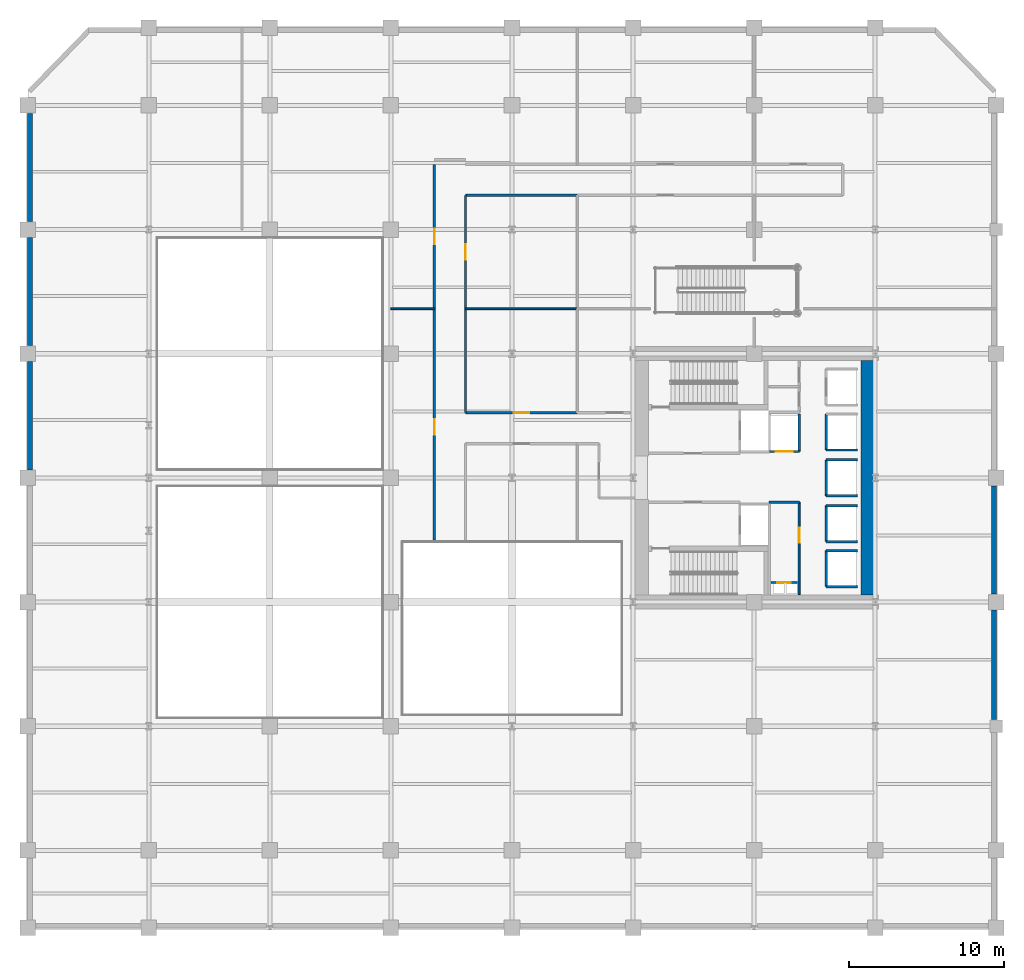
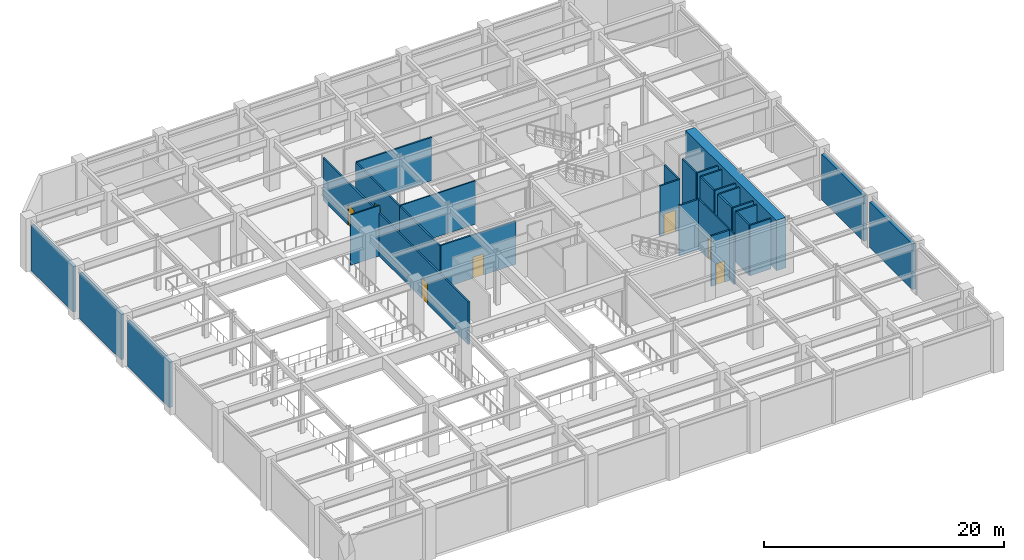
# One storey, part 9 of 15: 30 walls, 7 doors, 7 openings.
"""IFC4 building model written with IfcOpenShell, lengths in metres."""

from ifc_helpers import new_model, si_unit, direction, frame, frame_2d, origin, place, context, subcontext, project, spatial, rectangle, extrude, material, layer, layer_set, type_object, element, fill, save


model = new_model("IFC4")

# Units and contexts
model_context = context("Model", 3, precision=1e-05, world=origin(), true_north=direction((0.0, 1.0)))
body_context = subcontext(model_context, "Body", "Model", "MODEL_VIEW")
ifc_project = project(units=[si_unit("LENGTHUNIT", "METRE"), si_unit("AREAUNIT", "SQUARE_METRE"), si_unit("VOLUMEUNIT", "CUBIC_METRE"), si_unit("PLANEANGLEUNIT", "RADIAN"), si_unit("MASSUNIT", "GRAM", prefix="KILO")], contexts=[model_context])

# Site, building, storey
site_placement = place(None, origin())
site = spatial("IfcSite", under=ifc_project, at=site_placement, CompositionType="ELEMENT")
building_placement = place(site_placement, origin())
building = spatial("IfcBuilding", under=site, at=building_placement, Name="Veymaron Broadcast Tower", CompositionType="ELEMENT")
storey_placement = place(building_placement, frame((0.0, 0.0, 5.39990234375)))
storey = spatial("IfcBuildingStorey", under=building, at=storey_placement, Name="L01", CompositionType="ELEMENT", Elevation=5.39990234375)

# Walls
ifc_material_1 = material(Name="Precast concrete C40/50 with mineral-wool insulation", Category="concrete")
ifc_layer_1 = layer(ifc_material_1, 0.300048828125)
ifc_layer_set_1 = layer_set([ifc_layer_1], Name="Precast concrete C40/50 with mineral-wool insulation")
wall_type_1 = type_object("IfcWallType", Name="WALL-EXT-300", PredefinedType="STANDARD", material=ifc_layer_set_1)
wall_1_placement = place(storey_placement, frame((62.260009765625, 8.41796875, 0.0), z_axis=(0.0, 0.0, 1.0), x_axis=(0.0, 1.0, 0.0)))
element("IfcWall", 1, at=wall_1_placement, inside=storey, type_object=wall_type_1, Name="L01 notched corner facade pier 2-3", PredefinedType="STANDARD", context=body_context, shape_type="SweptSolid", body=[
    extrude(rectangle(XDim=7.06396484375, YDim=0.300048828125, at=frame_2d((3.531982421875, 0.0))), origin(), (0.0, 0.0, 1.0), 4.648193359375),
])
for number, where, z_axis, x_axis, name in (
    (2, (62.260009765625, 16.51806640625, 0.0), (0.0, 0.0, 1.0), (0.0, 1.0, 0.0), "L01 notched corner facade pier 2-4"),
    (3, (0.139892578125, 47.48193359375, 0.0), (0.0, 0.0, 1.0), (0.0, -1.0, 0.0), "L01 notched corner facade pier 6-1"),
    (4, (0.139892578125, 39.48193359375, 0.0), (0.0, 0.0, 1.0), (0.0, -1.0, 0.0), "L01 notched corner facade pier 6-2"),
    (5, (0.139892578125, 31.48193359375, 0.0), (0.0, 0.0, 1.0), (0.0, -1.0, 0.0), "L01 notched corner facade pier 6-3"),
):
    element("IfcWall", number, at=place(storey_placement, frame(where, z_axis=z_axis, x_axis=x_axis)), inside=storey, type_object=wall_type_1, Name=name, PredefinedType="STANDARD", context=body_context, shape_type="SweptSolid", body=[
        extrude(rectangle(XDim=6.9638671875, YDim=0.300048828125, at=frame_2d((3.48193359375, 0.0))), origin(), (0.0, 0.0, 1.0), 4.648193359375),
    ])

# Wall, opening, door
ifc_material_2 = material(Name="Gypsum fireboard and steel stud framing", Category="steel")
ifc_layer_2 = layer(ifc_material_2, 0.14990234375)
ifc_layer_set_2 = layer_set([ifc_layer_2], Name="Gypsum fireboard and steel stud framing")
wall_type_2 = type_object("IfcWallType", Name="WALL-FIRE-150", PredefinedType="PARTITIONING", material=ifc_layer_set_2)
wall_2_placement = place(storey_placement, frame((47.7900390625, 25.695068359375, 0.0), z_axis=(0.0, 0.0, 1.0), x_axis=(1.0, 0.0, 0.0)))
wall_2 = element("IfcWall", 6, at=wall_2_placement, inside=storey, type_object=wall_type_2, Name="L01 partition IW-L01-SHS-SL-1", PredefinedType="PARTITIONING", context=body_context, shape_type="SweptSolid", body=[
    extrude(rectangle(XDim=1.919921875, YDim=0.14990234375, at=frame_2d((0.9599609375, 0.0))), origin(), (0.0, 0.0, 1.0), 5.1201171875),
])
opening_1_placement = place(wall_2_placement, frame((0.409912109375, 0.0, 0.0)))
opening_1 = element("IfcOpeningElement", 7, at=opening_1_placement, cuts=wall_2, Name="Opening LD", PredefinedType="OPENING", context=body_context, shape_type="SweptSolid", body=[
    extrude(rectangle(XDim=1.10009765625, YDim=2.14990234375, at=frame_2d((0.550048828125, 1.074951171875))), frame((0.0, 0.0849609375, 0.0), z_axis=(0.0, -1.0, 0.0), x_axis=(1.0, 0.0, 0.0)), (0.0, 0.0, 1.0), 0.169921875),
])
ifc_material_3 = material(Name="Brushed stainless steel AISI 304", Category="steel")
door_type_1 = type_object("IfcDoorType", Name="DOOR-LIFT-1100", OperationType="DOUBLE_DOOR_SLIDING", PredefinedType="DOOR", material=ifc_material_3)
door_1_placement = place(opening_1_placement, frame((1.10009765625, 0.0, 0.0), z_axis=(0.0, 0.0, 1.0), x_axis=(-1.0, 0.0, 0.0)))
door_1 = element("IfcDoor", 8, at=door_1_placement, inside=storey, type_object=door_type_1, Name="L01 door LD-L01-SL-1", OperationType="DOUBLE_DOOR_SLIDING", OverallHeight=2.14990234375, OverallWidth=1.10009765625, PredefinedType="DOOR", context=body_context, shape_type="SweptSolid", body=[
    extrude(rectangle(XDim=1.10009765625, YDim=2.14990234375, at=frame_2d((0.550048828125, 1.074951171875))), frame((0.0, 0.02490234375, 0.0), z_axis=(0.0, -1.0, 0.0), x_axis=(1.0, 0.0, 0.0)), (0.0, 0.0, 1.0), 0.050048828125),
])
fill(opening_1, door_1)

# Walls
wall_3_placement = place(storey_placement, frame((49.7099609375, 25.695068359375, 0.0), z_axis=(0.0, 0.0, 1.0), x_axis=(0.0, 1.0, 0.0)))
element("IfcWall", 9, at=wall_3_placement, inside=storey, type_object=wall_type_2, Name="L01 partition IW-L01-SHE-SL-1", PredefinedType="PARTITIONING", context=body_context, shape_type="SweptSolid", body=[
    extrude(rectangle(XDim=2.4150390625, YDim=0.14990234375, at=frame_2d((1.20751953125, 0.0))), origin(), (0.0, 0.0, 1.0), 5.1201171875),
])
wall_4_placement = place(storey_placement, frame((51.445068359375, 25.7900390625, 0.0), z_axis=(0.0, 0.0, 1.0), x_axis=(0.0, 1.0, 0.0)))
element("IfcWall", 10, at=wall_4_placement, inside=storey, type_object=wall_type_2, Name="L01 partition IW-L01-SHW-PM1", PredefinedType="PARTITIONING", context=body_context, shape_type="SweptSolid", body=[
    extrude(rectangle(XDim=2.320068359375, YDim=0.14990234375, at=frame_2d((1.16015625, 0.0))), origin(), (0.0, 0.0, 1.0), 5.1201171875),
])
wall_5_placement = place(storey_placement, frame((51.445068359375, 25.7900390625, 0.0), z_axis=(0.0, 0.0, 1.0), x_axis=(1.0, 0.0, 0.0)))
element("IfcWall", 11, at=wall_5_placement, inside=storey, type_object=wall_type_2, Name="L01 partition IW-L01-SHS-PM1", PredefinedType="PARTITIONING", context=body_context, shape_type="SweptSolid", body=[
    extrude(rectangle(XDim=2.014892578125, YDim=0.14990234375, at=frame_2d((1.00732421875, 0.0))), origin(), (0.0, 0.0, 1.0), 5.1201171875),
])
wall_6_placement = place(storey_placement, frame((51.445068359375, 19.889892578125, 0.0), z_axis=(0.0, 0.0, 1.0), x_axis=(0.0, 1.0, 0.0)))
element("IfcWall", 12, at=wall_6_placement, inside=storey, type_object=wall_type_2, Name="L01 partition IW-L01-SHW-PM2", PredefinedType="PARTITIONING", context=body_context, shape_type="SweptSolid", body=[
    extrude(rectangle(XDim=2.320068359375, YDim=0.14990234375, at=frame_2d((1.16015625, 0.0))), origin(), (0.0, 0.0, 1.0), 5.1201171875),
])
for number, where, z_axis, x_axis, name in (
    (13, (51.445068359375, 19.889892578125, 0.0), (0.0, 0.0, 1.0), (1.0, 0.0, 0.0), "L01 partition IW-L01-SHS-PM2"),
    (14, (51.445068359375, 22.2099609375, 0.0), (0.0, 0.0, 1.0), (1.0, 0.0, 0.0), "L01 partition IW-L01-SHN-PM2"),
):
    element("IfcWall", number, at=place(storey_placement, frame(where, z_axis=z_axis, x_axis=x_axis)), inside=storey, type_object=wall_type_2, Name=name, PredefinedType="PARTITIONING", context=body_context, shape_type="SweptSolid", body=[
        extrude(rectangle(XDim=2.014892578125, YDim=0.14990234375, at=frame_2d((1.00732421875, 0.0))), origin(), (0.0, 0.0, 1.0), 5.1201171875),
    ])
wall_7_placement = place(storey_placement, frame((51.445068359375, 22.840087890625, 0.0), z_axis=(0.0, 0.0, 1.0), x_axis=(0.0, 1.0, 0.0)))
element("IfcWall", 15, at=wall_7_placement, inside=storey, type_object=wall_type_2, Name="L01 partition IW-L01-SHW-PM3", PredefinedType="PARTITIONING", context=body_context, shape_type="SweptSolid", body=[
    extrude(rectangle(XDim=2.31982421875, YDim=0.14990234375, at=frame_2d((1.159912109375, 0.0))), origin(), (0.0, 0.0, 1.0), 5.1201171875),
])
for number, where, z_axis, x_axis, name in (
    (16, (51.445068359375, 22.840087890625, 0.0), (0.0, 0.0, 1.0), (1.0, 0.0, 0.0), "L01 partition IW-L01-SHS-PM3"),
    (17, (51.445068359375, 25.159912109375, 0.0), (0.0, 0.0, 1.0), (1.0, 0.0, 0.0), "L01 partition IW-L01-SHN-PM3"),
):
    element("IfcWall", number, at=place(storey_placement, frame(where, z_axis=z_axis, x_axis=x_axis)), inside=storey, type_object=wall_type_2, Name=name, PredefinedType="PARTITIONING", context=body_context, shape_type="SweptSolid", body=[
        extrude(rectangle(XDim=2.014892578125, YDim=0.14990234375, at=frame_2d((1.00732421875, 0.0))), origin(), (0.0, 0.0, 1.0), 5.1201171875),
    ])
wall_8_placement = place(storey_placement, frame((51.445068359375, 16.989990234375, 0.0), z_axis=(0.0, 0.0, 1.0), x_axis=(0.0, 1.0, 0.0)))
element("IfcWall", 18, at=wall_8_placement, inside=storey, type_object=wall_type_2, Name="L01 partition IW-L01-SHW-PH1", PredefinedType="PARTITIONING", context=body_context, shape_type="SweptSolid", body=[
    extrude(rectangle(XDim=2.320068359375, YDim=0.14990234375, at=frame_2d((1.16015625, 0.0))), origin(), (0.0, 0.0, 1.0), 5.1201171875),
])
for number, where, z_axis, x_axis, name in (
    (19, (51.445068359375, 16.989990234375, 0.0), (0.0, 0.0, 1.0), (1.0, 0.0, 0.0), "L01 partition IW-L01-SHS-PH1"),
    (20, (51.445068359375, 19.31005859375, 0.0), (0.0, 0.0, 1.0), (1.0, 0.0, 0.0), "L01 partition IW-L01-SHN-PH1"),
):
    element("IfcWall", number, at=place(storey_placement, frame(where, z_axis=z_axis, x_axis=x_axis)), inside=storey, type_object=wall_type_2, Name=name, PredefinedType="PARTITIONING", context=body_context, shape_type="SweptSolid", body=[
        extrude(rectangle(XDim=2.014892578125, YDim=0.14990234375, at=frame_2d((1.00732421875, 0.0))), origin(), (0.0, 0.0, 1.0), 5.1201171875),
    ])

# Wall, opening, door
wall_9_placement = place(storey_placement, frame((47.8798828125, 17.260009765625, 0.0), z_axis=(0.0, 0.0, 1.0), x_axis=(1.0, 0.0, 0.0)))
wall_9 = element("IfcWall", 21, at=wall_9_placement, inside=storey, type_object=wall_type_2, Name="L01 partition IW-L01-RIS-N", PredefinedType="PARTITIONING", context=body_context, shape_type="SweptSolid", body=[
    extrude(rectangle(XDim=1.72021484375, YDim=0.14990234375, at=frame_2d((0.860107421875, 0.0))), origin(), (0.0, 0.0, 1.0), 5.1201171875),
])
opening_2_placement = place(wall_9_placement, frame((0.419921875, 0.0, 0.0)))
opening_2 = element("IfcOpeningElement", 22, at=opening_2_placement, cuts=wall_9, Name="Opening ID-RS1", PredefinedType="OPENING", context=body_context, shape_type="SweptSolid", body=[
    extrude(rectangle(XDim=0.85009765625, YDim=2.14990234375, at=frame_2d((0.425048828125, 1.074951171875))), frame((0.0, 0.0849609375, 0.0), z_axis=(0.0, -1.0, 0.0), x_axis=(1.0, 0.0, 0.0)), (0.0, 0.0, 1.0), 0.169921875),
])
ifc_material_4 = material(Name="Fire-rated powder-coated steel riser leaf", Category="steel")
door_type_2 = type_object("IfcDoorType", Name="DOOR-RIS-850", OperationType="NOTDEFINED", PredefinedType="TRAPDOOR", material=ifc_material_4)
door_2_placement = place(opening_2_placement, origin())
door_2 = element("IfcDoor", 23, at=door_2_placement, inside=storey, type_object=door_type_2, Name="L01 door DR-L01-RIS", OperationType="SINGLE_SWING_LEFT", OverallHeight=2.14990234375, OverallWidth=0.85009765625, PredefinedType="TRAPDOOR", context=body_context, shape_type="SweptSolid", body=[
    extrude(rectangle(XDim=0.85009765625, YDim=2.14990234375, at=frame_2d((0.425048828125, 1.074951171875))), frame((0.0, 0.02490234375, 0.0), z_axis=(0.0, -1.0, 0.0), x_axis=(1.0, 0.0, 0.0)), (0.0, 0.0, 1.0), 0.050048828125),
])
fill(opening_2, door_2)

# Wall
wall_10_placement = place(storey_placement, frame((47.760009765625, 22.425048828125, 0.0), z_axis=(0.0, 0.0, 1.0), x_axis=(1.0, 0.0, 0.0)))
element("IfcWall", 24, at=wall_10_placement, inside=storey, type_object=wall_type_2, Name="L01 partition IW-L01-SM-N", PredefinedType="PARTITIONING", context=body_context, shape_type="SweptSolid", body=[
    extrude(rectangle(XDim=1.9599609375, YDim=0.14990234375, at=frame_2d((0.97998046875, 0.0))), origin(), (0.0, 0.0, 1.0), 5.1201171875),
])

# Wall, opening, door
wall_11_placement = place(storey_placement, frame((26.199951171875, 20.0, 0.0), z_axis=(0.0, 0.0, 1.0), x_axis=(0.0, 1.0, 0.0)))
wall_11 = element("IfcWall", 25, at=wall_11_placement, inside=storey, type_object=wall_type_2, Name="L01 partition IW-L01-P06", PredefinedType="PARTITIONING", context=body_context, shape_type="SweptSolid", body=[
    extrude(rectangle(XDim=14.89990234375, YDim=0.14990234375, at=frame_2d((7.449951171875, 0.0))), origin(), (0.0, 0.0, 1.0), 4.338134765625),
])
opening_3_placement = place(wall_11_placement, frame((6.77001953125, 0.0, 0.0)))
opening_3 = element("IfcOpeningElement", 26, at=opening_3_placement, cuts=wall_11, Name="Opening ID-RM3", PredefinedType="OPENING", context=body_context, shape_type="SweptSolid", body=[
    extrude(rectangle(XDim=1.0, YDim=2.14990234375, at=frame_2d((0.5, 1.074951171875))), frame((0.0, 0.0849609375, 0.0), z_axis=(0.0, -1.0, 0.0), x_axis=(1.0, 0.0, 0.0)), (0.0, 0.0, 1.0), 0.169921875),
])
ifc_material_5 = material(Name="Acoustic solid-core European oak veneer timber", Category="wood")
door_type_3 = type_object("IfcDoorType", Name="DOOR-INT-1000", OperationType="NOTDEFINED", PredefinedType="DOOR", material=ifc_material_5)
door_3_placement = place(opening_3_placement, origin())
door_3 = element("IfcDoor", 27, at=door_3_placement, inside=storey, type_object=door_type_3, Name="L01 door DR-L01-P06", OperationType="SINGLE_SWING_LEFT", OverallHeight=2.14990234375, OverallWidth=1.0, PredefinedType="DOOR", context=body_context, shape_type="SweptSolid", body=[
    extrude(rectangle(XDim=1.0, YDim=2.14990234375, at=frame_2d((0.5, 1.074951171875))), frame((0.0, 0.02490234375, 0.0), z_axis=(0.0, -1.0, 0.0), x_axis=(1.0, 0.0, 0.0)), (0.0, 0.0, 1.0), 0.050048828125),
])
fill(opening_3, door_3)

wall_12_placement = place(storey_placement, frame((28.199951171875, 28.199951171875, 0.0), z_axis=(0.0, 0.0, 1.0), x_axis=(1.0, 0.0, 0.0)))
wall_12 = element("IfcWall", 28, at=wall_12_placement, inside=storey, type_object=wall_type_2, Name="L01 partition IW-L01-P07", PredefinedType="PARTITIONING", context=body_context, shape_type="SweptSolid", body=[
    extrude(rectangle(XDim=7.199951171875, YDim=0.14990234375, at=frame_2d((3.60009765625, 0.0))), origin(), (0.0, 0.0, 1.0), 4.4150390625),
])
opening_4_placement = place(wall_12_placement, frame((3.10009765625, 0.0, 0.0)))
opening_4 = element("IfcOpeningElement", 29, at=opening_4_placement, cuts=wall_12, Name="Opening ID-RM3", PredefinedType="OPENING", context=body_context, shape_type="SweptSolid", body=[
    extrude(rectangle(XDim=1.0, YDim=2.14990234375, at=frame_2d((0.5, 1.074951171875))), frame((0.0, 0.0849609375, 0.0), z_axis=(0.0, -1.0, 0.0), x_axis=(1.0, 0.0, 0.0)), (0.0, 0.0, 1.0), 0.169921875),
])
door_4_placement = place(opening_4_placement, origin())
door_4 = element("IfcDoor", 30, at=door_4_placement, inside=storey, type_object=door_type_3, Name="L01 door DR-L01-P07", OperationType="SINGLE_SWING_RIGHT", OverallHeight=2.14990234375, OverallWidth=1.0, PredefinedType="DOOR", context=body_context, shape_type="SweptSolid", body=[
    extrude(rectangle(XDim=1.0, YDim=2.14990234375, at=frame_2d((0.5, 1.074951171875))), frame((0.0, 0.02490234375, 0.0), z_axis=(0.0, -1.0, 0.0), x_axis=(1.0, 0.0, 0.0)), (0.0, 0.0, 1.0), 0.050048828125),
])
fill(opening_4, door_4)

wall_13_placement = place(storey_placement, frame((28.199951171875, 34.89990234375, 0.0), z_axis=(0.0, 0.0, 1.0), x_axis=(0.0, 1.0, 0.0)))
wall_13 = element("IfcWall", 31, at=wall_13_placement, inside=storey, type_object=wall_type_2, Name="L01 partition IW-L01-P10", PredefinedType="PARTITIONING", context=body_context, shape_type="SweptSolid", body=[
    extrude(rectangle(XDim=7.300048828125, YDim=0.14990234375, at=frame_2d((3.64990234375, 0.0))), origin(), (0.0, 0.0, 1.0), 4.338134765625),
])
opening_5_placement = place(wall_13_placement, frame((3.14990234375, 0.0, 0.0)))
opening_5 = element("IfcOpeningElement", 32, at=opening_5_placement, cuts=wall_13, Name="Opening ID-RM3", PredefinedType="OPENING", context=body_context, shape_type="SweptSolid", body=[
    extrude(rectangle(XDim=1.0, YDim=2.14990234375, at=frame_2d((0.5, 1.074951171875))), frame((0.0, 0.0849609375, 0.0), z_axis=(0.0, -1.0, 0.0), x_axis=(1.0, 0.0, 0.0)), (0.0, 0.0, 1.0), 0.169921875),
])
door_5_placement = place(opening_5_placement, frame((1.0, 0.0, 0.0), z_axis=(0.0, 0.0, 1.0), x_axis=(-1.0, 0.0, 0.0)))
door_5 = element("IfcDoor", 33, at=door_5_placement, inside=storey, type_object=door_type_3, Name="L01 door DR-L01-P10", OperationType="SINGLE_SWING_LEFT", OverallHeight=2.14990234375, OverallWidth=1.0, PredefinedType="DOOR", context=body_context, shape_type="SweptSolid", body=[
    extrude(rectangle(XDim=1.0, YDim=2.14990234375, at=frame_2d((0.5, 1.074951171875))), frame((0.0, 0.02490234375, 0.0), z_axis=(0.0, -1.0, 0.0), x_axis=(1.0, 0.0, 0.0)), (0.0, 0.0, 1.0), 0.050048828125),
])
fill(opening_5, door_5)

wall_14_placement = place(storey_placement, frame((26.199951171875, 34.89990234375, 0.0), z_axis=(0.0, 0.0, 1.0), x_axis=(0.0, 1.0, 0.0)))
wall_14 = element("IfcWall", 34, at=wall_14_placement, inside=storey, type_object=wall_type_2, Name="L01 partition IW-L01-P16", PredefinedType="PARTITIONING", context=body_context, shape_type="SweptSolid", body=[
    extrude(rectangle(XDim=9.300048828125, YDim=0.14990234375, at=frame_2d((4.64990234375, 0.0))), origin(), (0.0, 0.0, 1.0), 4.338134765625),
])
opening_6_placement = place(wall_14_placement, frame((4.14990234375, 0.0, 0.0)))
opening_6 = element("IfcOpeningElement", 35, at=opening_6_placement, cuts=wall_14, Name="Opening ID-RM3", PredefinedType="OPENING", context=body_context, shape_type="SweptSolid", body=[
    extrude(rectangle(XDim=1.0, YDim=2.14990234375, at=frame_2d((0.5, 1.074951171875))), frame((0.0, 0.0849609375, 0.0), z_axis=(0.0, -1.0, 0.0), x_axis=(1.0, 0.0, 0.0)), (0.0, 0.0, 1.0), 0.169921875),
])
door_6_placement = place(opening_6_placement, origin())
door_6 = element("IfcDoor", 36, at=door_6_placement, inside=storey, type_object=door_type_3, Name="L01 door DR-L01-P16", OperationType="SINGLE_SWING_LEFT", OverallHeight=2.14990234375, OverallWidth=1.0, PredefinedType="DOOR", context=body_context, shape_type="SweptSolid", body=[
    extrude(rectangle(XDim=1.0, YDim=2.14990234375, at=frame_2d((0.5, 1.074951171875))), frame((0.0, 0.02490234375, 0.0), z_axis=(0.0, -1.0, 0.0), x_axis=(1.0, 0.0, 0.0)), (0.0, 0.0, 1.0), 0.050048828125),
])
fill(opening_6, door_6)

# Walls
wall_15_placement = place(storey_placement, frame((28.199951171875, 28.199951171875, 0.0), z_axis=(0.0, 0.0, 1.0), x_axis=(0.0, 1.0, 0.0)))
element("IfcWall", 37, at=wall_15_placement, inside=storey, type_object=wall_type_2, Name="L01 partition IW-L01-P08", PredefinedType="PARTITIONING", context=body_context, shape_type="SweptSolid", body=[
    extrude(rectangle(XDim=6.699951171875, YDim=0.14990234375, at=frame_2d((3.35009765625, 0.0))), origin(), (0.0, 0.0, 1.0), 4.338134765625),
])
wall_16_placement = place(storey_placement, frame((28.199951171875, 42.199951171875, 0.0), z_axis=(0.0, 0.0, 1.0), x_axis=(1.0, 0.0, 0.0)))
element("IfcWall", 38, at=wall_16_placement, inside=storey, type_object=wall_type_2, Name="L01 partition IW-L01-P11", PredefinedType="PARTITIONING", context=body_context, shape_type="SweptSolid", body=[
    extrude(rectangle(XDim=7.199951171875, YDim=0.14990234375, at=frame_2d((3.60009765625, 0.0))), origin(), (0.0, 0.0, 1.0), 4.4150390625),
])

# Wall, opening, door
ifc_material_6 = material(Name="Acoustic gypsum board and galvanized stud", Category="gypsum")
ifc_layer_3 = layer(ifc_material_6, 0.1201171875)
ifc_layer_set_3 = layer_set([ifc_layer_3], Name="Acoustic gypsum board and galvanized stud")
wall_type_3 = type_object("IfcWallType", Name="WALL-PART-120", PredefinedType="PARTITIONING", material=ifc_layer_set_3)
wall_17_placement = place(storey_placement, frame((49.699951171875, 16.47998046875, 0.0), z_axis=(0.0, 0.0, 1.0), x_axis=(0.0, 1.0, 0.0)))
wall_17 = element("IfcWall", 39, at=wall_17_placement, inside=storey, type_object=wall_type_3, Name="L01 partition IW-L01-SM-E", PredefinedType="PARTITIONING", context=body_context, shape_type="SweptSolid", body=[
    extrude(rectangle(XDim=5.945068359375, YDim=0.1201171875, at=frame_2d((2.97265625, 0.0))), origin(), (0.0, 0.0, 1.0), 5.1201171875),
])
opening_7_placement = place(wall_17_placement, frame((3.35009765625, 0.0, 0.0)))
opening_7 = element("IfcOpeningElement", 40, at=opening_7_placement, cuts=wall_17, Name="Opening ID-RM1", PredefinedType="OPENING", context=body_context, shape_type="SweptSolid", body=[
    extrude(rectangle(XDim=0.949951171875, YDim=2.14990234375, at=frame_2d((0.47509765625, 1.074951171875))), frame((0.0, 0.070068359375, 0.0), z_axis=(0.0, -1.0, 0.0), x_axis=(1.0, 0.0, 0.0)), (0.0, 0.0, 1.0), 0.14013671875),
])
door_type_4 = type_object("IfcDoorType", Name="DOOR-INT-950", OperationType="NOTDEFINED", PredefinedType="DOOR", material=ifc_material_5)
door_7_placement = place(opening_7_placement, frame((0.949951171875, 0.0, 0.0), z_axis=(0.0, 0.0, 1.0), x_axis=(-1.0, 0.0, 0.0)))
door_7 = element("IfcDoor", 41, at=door_7_placement, inside=storey, type_object=door_type_4, Name="L01 door DR-L01-AWC", OperationType="SINGLE_SWING_LEFT", OverallHeight=2.14990234375, OverallWidth=0.949951171875, PredefinedType="DOOR", context=body_context, shape_type="SweptSolid", body=[
    extrude(rectangle(XDim=0.949951171875, YDim=2.14990234375, at=frame_2d((0.47509765625, 1.074951171875))), frame((0.0, 0.02490234375, 0.0), z_axis=(0.0, -1.0, 0.0), x_axis=(1.0, 0.0, 0.0)), (0.0, 0.0, 1.0), 0.050048828125),
])
fill(opening_7, door_7)

# Walls
wall_18_placement = place(storey_placement, frame((23.39990234375, 34.89990234375, 0.0), z_axis=(0.0, 0.0, 1.0), x_axis=(1.0, 0.0, 0.0)))
element("IfcWall", 42, at=wall_18_placement, inside=storey, type_object=wall_type_3, Name="L01 partition IW-L01-P24", PredefinedType="PARTITIONING", context=body_context, shape_type="SweptSolid", body=[
    extrude(rectangle(XDim=2.800048828125, YDim=0.1201171875, at=frame_2d((1.39990234375, 0.0))), origin(), (0.0, 0.0, 1.0), 5.1201171875),
])
wall_19_placement = place(storey_placement, frame((28.199951171875, 34.89990234375, 0.0), z_axis=(0.0, 0.0, 1.0), x_axis=(1.0, 0.0, 0.0)))
element("IfcWall", 43, at=wall_19_placement, inside=storey, type_object=wall_type_3, Name="L01 partition IW-L01-P26", PredefinedType="PARTITIONING", context=body_context, shape_type="SweptSolid", body=[
    extrude(rectangle(XDim=7.199951171875, YDim=0.1201171875, at=frame_2d((3.60009765625, 0.0))), origin(), (0.0, 0.0, 1.0), 4.4150390625),
])
ifc_material_7 = material(Name="Concrete C70/85", Category="concrete")
ifc_layer_4 = layer(ifc_material_7, 0.89990234375)
ifc_layer_set_4 = layer_set([ifc_layer_4], Name="Concrete C70/85")
wall_type_4 = type_object("IfcWallType", Name="WALL-SHEAR-900", PredefinedType="SHEAR", material=ifc_layer_set_4)
wall_20_placement = place(storey_placement, frame((54.14990234375, 16.449951171875, 0.0), z_axis=(0.0, 0.0, 1.0), x_axis=(0.0, 1.0, 0.0)))
element("IfcWall", 44, at=wall_20_placement, inside=storey, type_object=wall_type_4, Name="L01 Core Wall east shear", PredefinedType="SHEAR", context=body_context, shape_type="SweptSolid", body=[
    extrude(rectangle(XDim=15.10009765625, YDim=0.89990234375, at=frame_2d((7.550048828125, 0.0))), origin(), (0.0, 0.0, 1.0), 5.1201171875),
])

save(model, "model.ifc")
